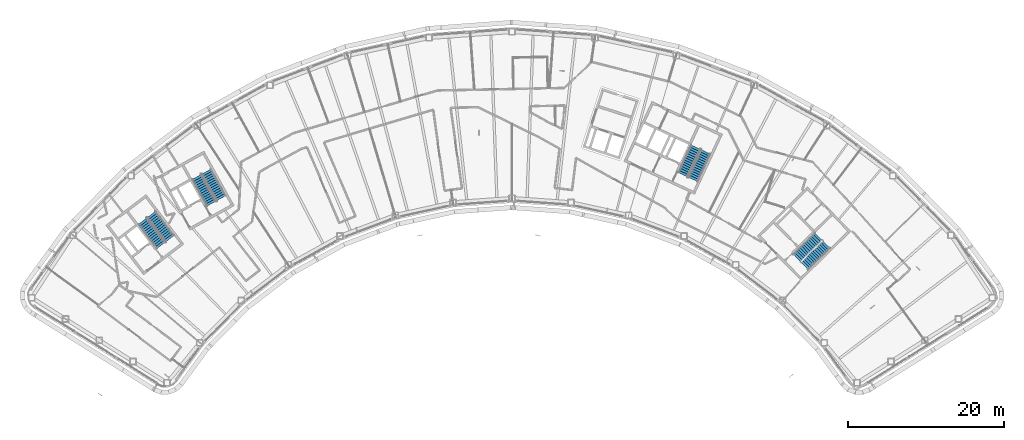
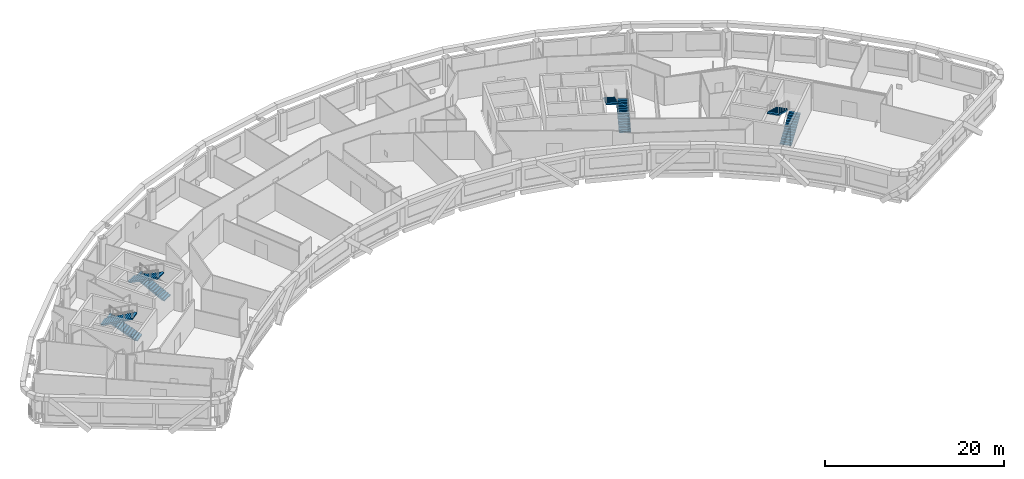
# One storey, part 12 of 21: 8 stair flights, 4 elements without a shape of their own.
"""IFC4 building model written with IfcOpenShell, lengths in metres."""

from ifc_helpers import new_model, si_unit, direction, frame, origin, place, context, subcontext, project, spatial, polyline, outline, extrude, material, type_object, element, aggregate, save


model = new_model("IFC4")

# Units and contexts
model_context = context("Model", 3, precision=1e-05, world=origin(), true_north=direction((0.0, 1.0)))
body_context = subcontext(model_context, "Body", "Model", "MODEL_VIEW")
ifc_project = project(units=[si_unit("LENGTHUNIT", "METRE"), si_unit("AREAUNIT", "SQUARE_METRE"), si_unit("VOLUMEUNIT", "CUBIC_METRE"), si_unit("PLANEANGLEUNIT", "RADIAN"), si_unit("MASSUNIT", "GRAM", prefix="KILO")], contexts=[model_context])

# Site, building, storey
site_placement = place(None, origin())
site = spatial("IfcSite", under=ifc_project, at=site_placement, CompositionType="ELEMENT")
building_placement = place(site_placement, origin())
building = spatial("IfcBuilding", under=site, at=building_placement, Name="Tuul Gate Civic Tower", CompositionType="ELEMENT")
storey_placement = place(building_placement, frame((0.0, 0.0, 273.60009765625)))
storey = spatial("IfcBuildingStorey", under=building, at=storey_placement, Name="Level 62", CompositionType="ELEMENT", Elevation=273.60009765625)

# Stair, stair flights
ifc_material_1 = material(Name="Concrete C40/50", Category="concrete")
stair_type = type_object("IfcStairType", Name="Exit stair", PredefinedType="HALF_TURN_STAIR", material=ifc_material_1)
stair_1_placement = place(storey_placement, origin())
stair_1 = element("IfcStair", 1, at=stair_1_placement, inside=storey, type_object=stair_type, Name="Level 62 ST-1", PredefinedType="HALF_TURN_STAIR")
ifc_material_2 = material(Name="Concrete C40/50", Category="concrete")
stair_flight_type = type_object("IfcStairFlightType", Name="Exit stair flight", PredefinedType="STRAIGHT", material=ifc_material_2)
stair_flight_1_placement = place(storey_placement, frame((-32.875244140625, -13.066650390625, 0.0), z_axis=(0.0, 0.0, 1.0), x_axis=(-0.605764474941, 0.795644016442, 0.0)))
stair_flight_1 = element("IfcStairFlight", 2, at=stair_flight_1_placement, type_object=stair_flight_type, Name="ST-1 flight 1", NumberOfRisers=14, NumberOfTreads=13, PredefinedType="STRAIGHT", RiserHeight=0.15, TreadLength=0.3, context=body_context, shape_type="SweptSolid", body=[
    extrude(outline(polyline([(0.0, 0.0), (0.0, 0.14990234375), (0.300048828125, 0.14990234375), (0.300048828125, 0.300048828125), (0.60009765625, 0.300048828125), (0.60009765625, 0.449951171875), (0.89990234375, 0.449951171875), (0.89990234375, 0.60009765625), (1.199951171875, 0.60009765625), (1.199951171875, 0.75), (1.5, 0.75), (1.5, 0.89990234375), (1.800048828125, 0.89990234375), (1.800048828125, 1.050048828125), (2.10009765625, 1.050048828125), (2.10009765625, 1.199951171875), (2.39990234375, 1.199951171875), (2.39990234375, 1.35009765625), (2.699951171875, 1.35009765625), (2.699951171875, 1.5), (3.0, 1.5), (3.0, 1.64990234375), (3.300048828125, 1.64990234375), (3.300048828125, 1.800048828125), (3.60009765625, 1.800048828125), (3.60009765625, 1.949951171875), (3.89990234375, 1.949951171875), (3.89990234375, 2.10009765625), (3.89990234375, 1.782470703125), (0.335205078125, 0.0), (0.0, 0.0)])), frame((0.0, 0.675048828125, 0.0), z_axis=(0.0, -1.0, 0.0), x_axis=(1.0, 0.0, 0.0)), (0.0, 0.0, 1.0), 1.35009765625),
])
stair_flight_2_placement = place(storey_placement, frame((-36.391357421875, -10.842041015625, 2.099853515625), z_axis=(0.0, 0.0, 1.0), x_axis=(0.605764474941, -0.795644016442, 0.0)))
stair_flight_2 = element("IfcStairFlight", 3, at=stair_flight_2_placement, type_object=stair_flight_type, Name="ST-1 flight 2", NumberOfRisers=14, NumberOfTreads=13, PredefinedType="STRAIGHT", RiserHeight=0.15, TreadLength=0.3, context=body_context, shape_type="SweptSolid", body=[
    extrude(outline(polyline([(0.0, 0.0), (0.0, 0.14990234375), (0.300048828125, 0.14990234375), (0.300048828125, 0.300048828125), (0.60009765625, 0.300048828125), (0.60009765625, 0.449951171875), (0.89990234375, 0.449951171875), (0.89990234375, 0.60009765625), (1.199951171875, 0.60009765625), (1.199951171875, 0.75), (1.5, 0.75), (1.5, 0.89990234375), (1.800048828125, 0.89990234375), (1.800048828125, 1.050048828125), (2.10009765625, 1.050048828125), (2.10009765625, 1.199951171875), (2.39990234375, 1.199951171875), (2.39990234375, 1.35009765625), (2.699951171875, 1.35009765625), (2.699951171875, 1.5), (3.0, 1.5), (3.0, 1.64990234375), (3.300048828125, 1.64990234375), (3.300048828125, 1.800048828125), (3.60009765625, 1.800048828125), (3.60009765625, 1.949951171875), (3.89990234375, 1.949951171875), (3.89990234375, 2.10009765625), (3.89990234375, 1.782470703125), (0.335205078125, 0.0), (0.0, 0.0)])), frame((0.0, 0.675048828125, 0.0), z_axis=(0.0, -1.0, 0.0), x_axis=(1.0, 0.0, 0.0)), (0.0, 0.0, 1.0), 1.35009765625),
])
aggregate(stair_1, [stair_flight_1, stair_flight_2])

stair_2_placement = place(storey_placement, origin())
stair_2 = element("IfcStair", 4, at=stair_2_placement, inside=storey, type_object=stair_type, Name="Level 62 ST-2", PredefinedType="HALF_TURN_STAIR")
stair_flight_3_placement = place(storey_placement, frame((-26.29150390625, -7.87646484375, 0.0), z_axis=(0.0, 0.0, 1.0), x_axis=(-0.484761763766, 0.874646232708, 0.0)))
stair_flight_3 = element("IfcStairFlight", 5, at=stair_flight_3_placement, type_object=stair_flight_type, Name="ST-2 flight 1", NumberOfRisers=14, NumberOfTreads=13, PredefinedType="STRAIGHT", RiserHeight=0.15, TreadLength=0.3, context=body_context, shape_type="SweptSolid", body=[
    extrude(outline(polyline([(0.0, 0.0), (0.0, 0.14990234375), (0.300048828125, 0.14990234375), (0.300048828125, 0.300048828125), (0.60009765625, 0.300048828125), (0.60009765625, 0.449951171875), (0.89990234375, 0.449951171875), (0.89990234375, 0.60009765625), (1.199951171875, 0.60009765625), (1.199951171875, 0.75), (1.5, 0.75), (1.5, 0.89990234375), (1.800048828125, 0.89990234375), (1.800048828125, 1.050048828125), (2.10009765625, 1.050048828125), (2.10009765625, 1.199951171875), (2.39990234375, 1.199951171875), (2.39990234375, 1.35009765625), (2.699951171875, 1.35009765625), (2.699951171875, 1.5), (3.0, 1.5), (3.0, 1.64990234375), (3.300048828125, 1.64990234375), (3.300048828125, 1.800048828125), (3.60009765625, 1.800048828125), (3.60009765625, 1.949951171875), (3.89990234375, 1.949951171875), (3.89990234375, 2.10009765625), (3.89990234375, 1.782470703125), (0.335205078125, 0.0), (0.0, 0.0)])), frame((0.0, 0.675048828125, 0.0), z_axis=(0.0, -1.0, 0.0), x_axis=(1.0, 0.0, 0.0)), (0.0, 0.0, 1.0), 1.35009765625),
])
stair_flight_4_placement = place(storey_placement, frame((-29.450439453125, -5.168212890625, 2.099853515625), z_axis=(0.0, 0.0, 1.0), x_axis=(0.484761763766, -0.874646232708, 0.0)))
stair_flight_4 = element("IfcStairFlight", 6, at=stair_flight_4_placement, type_object=stair_flight_type, Name="ST-2 flight 2", NumberOfRisers=14, NumberOfTreads=13, PredefinedType="STRAIGHT", RiserHeight=0.15, TreadLength=0.3, context=body_context, shape_type="SweptSolid", body=[
    extrude(outline(polyline([(0.0, 0.0), (0.0, 0.14990234375), (0.300048828125, 0.14990234375), (0.300048828125, 0.300048828125), (0.60009765625, 0.300048828125), (0.60009765625, 0.449951171875), (0.89990234375, 0.449951171875), (0.89990234375, 0.60009765625), (1.199951171875, 0.60009765625), (1.199951171875, 0.75), (1.5, 0.75), (1.5, 0.89990234375), (1.800048828125, 0.89990234375), (1.800048828125, 1.050048828125), (2.10009765625, 1.050048828125), (2.10009765625, 1.199951171875), (2.39990234375, 1.199951171875), (2.39990234375, 1.35009765625), (2.699951171875, 1.35009765625), (2.699951171875, 1.5), (3.0, 1.5), (3.0, 1.64990234375), (3.300048828125, 1.64990234375), (3.300048828125, 1.800048828125), (3.60009765625, 1.800048828125), (3.60009765625, 1.949951171875), (3.89990234375, 1.949951171875), (3.89990234375, 2.10009765625), (3.89990234375, 1.782470703125), (0.335205078125, 0.0), (0.0, 0.0)])), frame((0.0, 0.675048828125, 0.0), z_axis=(0.0, -1.0, 0.0), x_axis=(1.0, 0.0, 0.0)), (0.0, 0.0, 1.0), 1.35009765625),
])
aggregate(stair_2, [stair_flight_3, stair_flight_4])

stair_3_placement = place(storey_placement, origin())
stair_3 = element("IfcStair", 7, at=stair_3_placement, inside=storey, type_object=stair_type, Name="Level 62 ST-3", PredefinedType="HALF_TURN_STAIR")
stair_flight_5_placement = place(storey_placement, frame((48.61376953125, -16.581787109375, 0.0), z_axis=(0.0, 0.0, 1.0), x_axis=(0.714127290059, 0.700015866672, 0.0)))
stair_flight_5 = element("IfcStairFlight", 8, at=stair_flight_5_placement, type_object=stair_flight_type, Name="ST-3 flight 1", NumberOfRisers=14, NumberOfTreads=13, PredefinedType="STRAIGHT", RiserHeight=0.15, TreadLength=0.3, context=body_context, shape_type="SweptSolid", body=[
    extrude(outline(polyline([(0.0, 0.0), (0.0, 0.14990234375), (0.300048828125, 0.14990234375), (0.300048828125, 0.300048828125), (0.60009765625, 0.300048828125), (0.60009765625, 0.449951171875), (0.89990234375, 0.449951171875), (0.89990234375, 0.60009765625), (1.199951171875, 0.60009765625), (1.199951171875, 0.75), (1.5, 0.75), (1.5, 0.89990234375), (1.800048828125, 0.89990234375), (1.800048828125, 1.050048828125), (2.10009765625, 1.050048828125), (2.10009765625, 1.199951171875), (2.39990234375, 1.199951171875), (2.39990234375, 1.35009765625), (2.699951171875, 1.35009765625), (2.699951171875, 1.5), (3.0, 1.5), (3.0, 1.64990234375), (3.300048828125, 1.64990234375), (3.300048828125, 1.800048828125), (3.60009765625, 1.800048828125), (3.60009765625, 1.949951171875), (3.89990234375, 1.949951171875), (3.89990234375, 2.10009765625), (3.89990234375, 1.782470703125), (0.335205078125, 0.0), (0.0, 0.0)])), frame((0.0, 0.675048828125, 0.0), z_axis=(0.0, -1.0, 0.0), x_axis=(1.0, 0.0, 0.0)), (0.0, 0.0, 1.0), 1.35009765625),
])
stair_flight_6_placement = place(storey_placement, frame((50.3837890625, -12.816162109375, 2.099853515625), z_axis=(0.0, 0.0, 1.0), x_axis=(-0.714127290059, -0.700015866672, 0.0)))
stair_flight_6 = element("IfcStairFlight", 9, at=stair_flight_6_placement, type_object=stair_flight_type, Name="ST-3 flight 2", NumberOfRisers=14, NumberOfTreads=13, PredefinedType="STRAIGHT", RiserHeight=0.15, TreadLength=0.3, context=body_context, shape_type="SweptSolid", body=[
    extrude(outline(polyline([(0.0, 0.0), (0.0, 0.14990234375), (0.300048828125, 0.14990234375), (0.300048828125, 0.300048828125), (0.60009765625, 0.300048828125), (0.60009765625, 0.449951171875), (0.89990234375, 0.449951171875), (0.89990234375, 0.60009765625), (1.199951171875, 0.60009765625), (1.199951171875, 0.75), (1.5, 0.75), (1.5, 0.89990234375), (1.800048828125, 0.89990234375), (1.800048828125, 1.050048828125), (2.10009765625, 1.050048828125), (2.10009765625, 1.199951171875), (2.39990234375, 1.199951171875), (2.39990234375, 1.35009765625), (2.699951171875, 1.35009765625), (2.699951171875, 1.5), (3.0, 1.5), (3.0, 1.64990234375), (3.300048828125, 1.64990234375), (3.300048828125, 1.800048828125), (3.60009765625, 1.800048828125), (3.60009765625, 1.949951171875), (3.89990234375, 1.949951171875), (3.89990234375, 2.10009765625), (3.89990234375, 1.782470703125), (0.335205078125, 0.0), (0.0, 0.0)])), frame((0.0, 0.675048828125, 0.0), z_axis=(0.0, -1.0, 0.0), x_axis=(1.0, 0.0, 0.0)), (0.0, 0.0, 1.0), 1.35009765625),
])
aggregate(stair_3, [stair_flight_5, stair_flight_6])

stair_4_placement = place(storey_placement, origin())
stair_4 = element("IfcStair", 10, at=stair_4_placement, inside=storey, type_object=stair_type, Name="Level 62 ST-4", PredefinedType="HALF_TURN_STAIR")
stair_flight_7_placement = place(storey_placement, frame((34.278564453125, -5.478515625, 0.0), z_axis=(0.0, 0.0, 1.0), x_axis=(0.422576295988, 0.906327354806, 0.0)))
stair_flight_7 = element("IfcStairFlight", 11, at=stair_flight_7_placement, type_object=stair_flight_type, Name="ST-4 flight 1", NumberOfRisers=14, NumberOfTreads=13, PredefinedType="STRAIGHT", RiserHeight=0.15, TreadLength=0.3, context=body_context, shape_type="SweptSolid", body=[
    extrude(outline(polyline([(0.0, 0.0), (0.0, 0.14990234375), (0.300048828125, 0.14990234375), (0.300048828125, 0.300048828125), (0.60009765625, 0.300048828125), (0.60009765625, 0.449951171875), (0.89990234375, 0.449951171875), (0.89990234375, 0.60009765625), (1.199951171875, 0.60009765625), (1.199951171875, 0.75), (1.5, 0.75), (1.5, 0.89990234375), (1.800048828125, 0.89990234375), (1.800048828125, 1.050048828125), (2.10009765625, 1.050048828125), (2.10009765625, 1.199951171875), (2.39990234375, 1.199951171875), (2.39990234375, 1.35009765625), (2.699951171875, 1.35009765625), (2.699951171875, 1.5), (3.0, 1.5), (3.0, 1.64990234375), (3.300048828125, 1.64990234375), (3.300048828125, 1.800048828125), (3.60009765625, 1.800048828125), (3.60009765625, 1.949951171875), (3.89990234375, 1.949951171875), (3.89990234375, 2.10009765625), (3.89990234375, 1.782470703125), (0.335205078125, 0.0), (0.0, 0.0)])), frame((0.0, 0.675048828125, 0.0), z_axis=(0.0, -1.0, 0.0), x_axis=(1.0, 0.0, 0.0)), (0.0, 0.0, 1.0), 1.35009765625),
])
stair_flight_8_placement = place(storey_placement, frame((34.612548828125, -1.3310546875, 2.099853515625), z_axis=(0.0, 0.0, 1.0), x_axis=(-0.422576295988, -0.906327354806, 0.0)))
stair_flight_8 = element("IfcStairFlight", 12, at=stair_flight_8_placement, type_object=stair_flight_type, Name="ST-4 flight 2", NumberOfRisers=14, NumberOfTreads=13, PredefinedType="STRAIGHT", RiserHeight=0.15, TreadLength=0.3, context=body_context, shape_type="SweptSolid", body=[
    extrude(outline(polyline([(0.0, 0.0), (0.0, 0.14990234375), (0.300048828125, 0.14990234375), (0.300048828125, 0.300048828125), (0.60009765625, 0.300048828125), (0.60009765625, 0.449951171875), (0.89990234375, 0.449951171875), (0.89990234375, 0.60009765625), (1.199951171875, 0.60009765625), (1.199951171875, 0.75), (1.5, 0.75), (1.5, 0.89990234375), (1.800048828125, 0.89990234375), (1.800048828125, 1.050048828125), (2.10009765625, 1.050048828125), (2.10009765625, 1.199951171875), (2.39990234375, 1.199951171875), (2.39990234375, 1.35009765625), (2.699951171875, 1.35009765625), (2.699951171875, 1.5), (3.0, 1.5), (3.0, 1.64990234375), (3.300048828125, 1.64990234375), (3.300048828125, 1.800048828125), (3.60009765625, 1.800048828125), (3.60009765625, 1.949951171875), (3.89990234375, 1.949951171875), (3.89990234375, 2.10009765625), (3.89990234375, 1.782470703125), (0.335205078125, 0.0), (0.0, 0.0)])), frame((0.0, 0.675048828125, 0.0), z_axis=(0.0, -1.0, 0.0), x_axis=(1.0, 0.0, 0.0)), (0.0, 0.0, 1.0), 1.35009765625),
])
aggregate(stair_4, [stair_flight_7, stair_flight_8])

save(model, "model.ifc")
